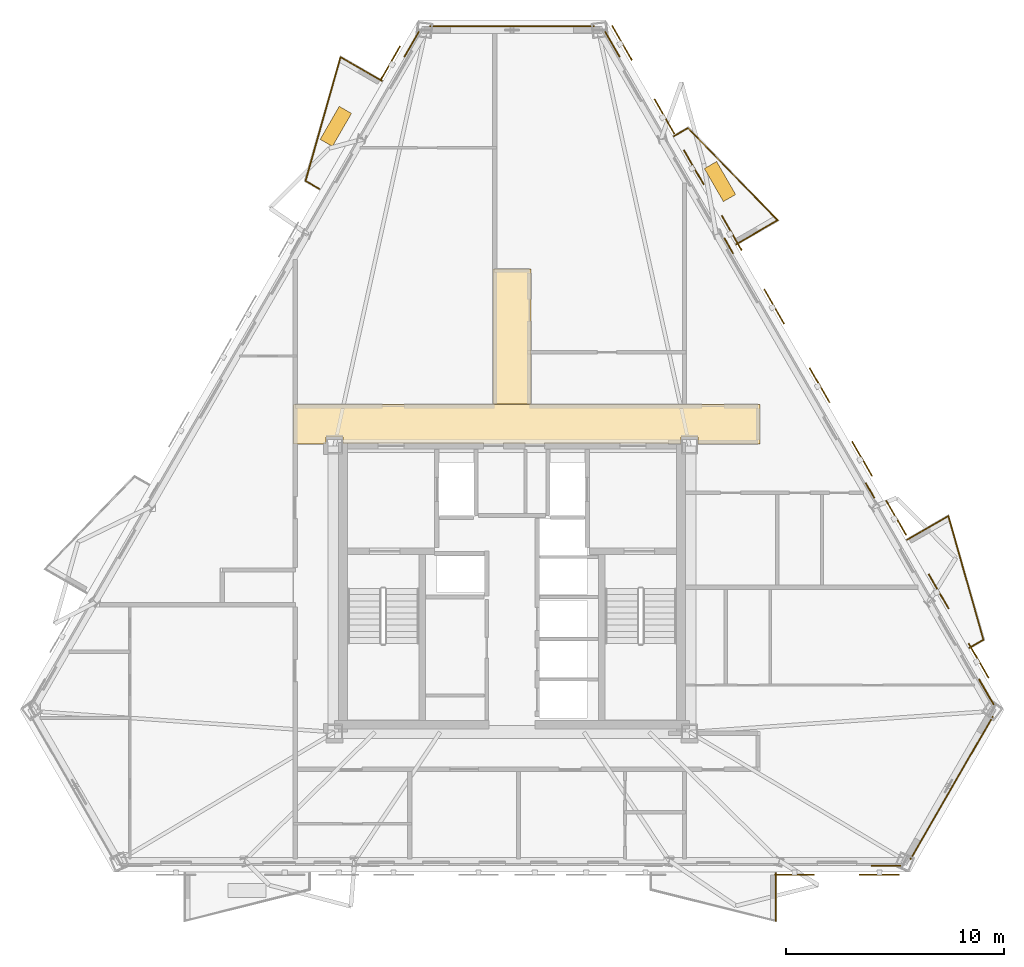
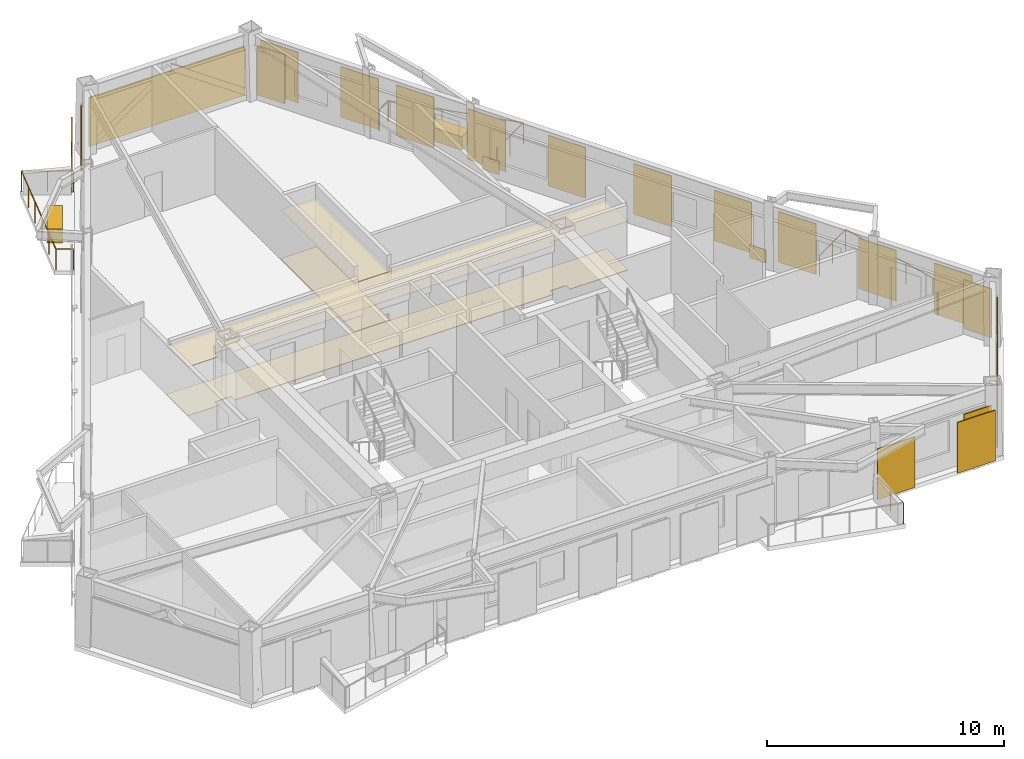
# One storey, part 10 of 10: 14 coverings, 13 shading devices, 10 railings.
"""IFC4 building model written with IfcOpenShell, lengths in metres."""

from ifc_helpers import new_model, si_unit, direction, frame, origin, origin_2d, place, context, subcontext, project, spatial, polyline, rectangle, circle, outline, extrude, material, layer, layer_set, type_object, element, save


model = new_model("IFC4")

# Units and contexts
model_context = context("Model", 3, precision=1e-05, world=origin(), true_north=direction((0.0, 1.0)))
body_context = subcontext(model_context, "Body", "Model", "MODEL_VIEW")
ifc_project = project(units=[si_unit("LENGTHUNIT", "METRE"), si_unit("AREAUNIT", "SQUARE_METRE"), si_unit("VOLUMEUNIT", "CUBIC_METRE"), si_unit("PLANEANGLEUNIT", "RADIAN"), si_unit("MASSUNIT", "GRAM", prefix="KILO")], contexts=[model_context])

# Site, building, storey
site_placement = place(None, origin())
site = spatial("IfcSite", under=ifc_project, at=site_placement, CompositionType="ELEMENT")
building_placement = place(site_placement, origin())
building = spatial("IfcBuilding", under=site, at=building_placement, Name="Oramaril Tower", CompositionType="ELEMENT")
storey_placement = place(building_placement, frame((0.0, 0.0, 181.800048828125)))
storey = spatial("IfcBuildingStorey", under=building, at=storey_placement, Name="L48", CompositionType="ELEMENT", Elevation=181.800048828125)

# Coverings
ifc_material_1 = material(Name="Mineral Fibre Acoustic Ceiling")
ifc_layer_1 = layer(ifc_material_1, 0.02001953125)
ifc_layer_set_1 = layer_set([ifc_layer_1], Name="CVT-CEIL")
covering_type_1 = type_object("IfcCoveringType", Name="CVT-CEIL", PredefinedType="CEILING", material=ifc_layer_set_1)
covering_1_placement = place(storey_placement, frame((0.0, 0.0, 2.511962890625)))
element("IfcCovering", 1, at=covering_1_placement, inside=storey, type_object=covering_type_1, Name="L48 Acoustic Suspended Ceiling 2", PredefinedType="CEILING", context=body_context, shape_type="SweptSolid", body=[
    extrude(outline(polyline([(48.8798828125, 24.239990234375), (46.044921875, 24.239990234375), (46.044921875, 24.544921875), (45.2548828125, 24.544921875), (45.2548828125, 24.25), (29.7451171875, 24.25), (29.7451171875, 24.544921875), (28.955078125, 24.544921875), (28.955078125, 24.239990234375), (27.469970703125, 24.239990234375), (27.469970703125, 26.050048828125), (48.8798828125, 26.050048828125), (48.8798828125, 24.239990234375)])), origin(), (0.0, 0.0, 1.0), 0.02001953125),
])
covering_2_placement = place(storey_placement, frame((0.0, 0.0, 2.511962890625)))
element("IfcCovering", 2, at=covering_2_placement, inside=storey, type_object=covering_type_1, Name="L48 Acoustic Suspended Ceiling 4", PredefinedType="CEILING", context=body_context, shape_type="SweptSolid", body=[
    extrude(outline(polyline([(38.3798828125, 26.070068359375), (36.6201171875, 26.070068359375), (36.6201171875, 32.280029296875), (38.3798828125, 32.280029296875), (38.3798828125, 26.070068359375)])), origin(), (0.0, 0.0, 1.0), 0.02001953125),
])
ifc_material_2 = material(Name="Warm Cream Limestone", Category="masonry")
ifc_layer_2 = layer(ifc_material_2, 0.050048828125)
ifc_layer_set_2 = layer_set([ifc_layer_2], Name="CVT-CLD")
covering_type_2 = type_object("IfcCoveringType", Name="CVT-CLD", PredefinedType="CLADDING", material=ifc_layer_set_2)
covering_3_placement = place(storey_placement, frame((54.6767578125, 4.86083984375, 0.0400390625), z_axis=(0.0, 0.0, 1.0), x_axis=(1.0, 0.0, 0.0)))
element("IfcCovering", 3, at=covering_3_placement, inside=storey, type_object=covering_type_2, Name="L48 Warm Cream Limestone Cladding", PredefinedType="CLADDING", context=body_context, shape_type="SweptSolid", body=[
    extrude(rectangle(XDim=1.35009765625, YDim=0.050048828125, at=origin_2d()), origin(), (0.0, 0.0, 1.0), 2.52001953125),
])
covering_4_placement = place(storey_placement, frame((57.691650390625, 8.4423828125, 0.0400390625), z_axis=(0.0, 0.0, 1.0), x_axis=(0.500009068969, 0.866020167749, 0.0)))
element("IfcCovering", 4, at=covering_4_placement, inside=storey, type_object=covering_type_2, Name="L48 Warm Cream Limestone Cladding", PredefinedType="CLADDING", context=body_context, shape_type="SweptSolid", body=[
    extrude(rectangle(XDim=7.5771484375, YDim=0.050048828125, at=origin_2d()), origin(), (0.0, 0.0, 1.0), 2.52001953125),
])
for number, where, z_axis, x_axis, name in (
    (5, (59.285888671875, 12.843994140625, 0.0400390625), (0.0, 0.0, 1.0), (-0.5, 0.866025403784, 0.0), "L48 Warm Cream Limestone Cladding"),
    (6, (42.10888671875, 42.59521484375, 0.0400390625), (0.0, 0.0, 1.0), (-0.5, 0.866025403784, 0.0), "L48 Warm Cream Limestone Cladding"),
):
    element("IfcCovering", number, at=place(storey_placement, frame(where, z_axis=z_axis, x_axis=x_axis)), inside=storey, type_object=covering_type_2, Name=name, PredefinedType="CLADDING", context=body_context, shape_type="SweptSolid", body=[
        extrude(rectangle(XDim=1.35009765625, YDim=0.050048828125, at=origin_2d()), origin(), (0.0, 0.0, 1.0), 2.52001953125),
    ])
for number, where, z_axis, x_axis, name in (
    (7, (53.9423828125, 22.099365234375, 0.0400390625), (0.0, 0.0, 1.0), (-0.5, 0.866025403784, 0.0), "L48 Warm Cream Limestone Spandrel Cladding"),
    (8, (47.45263671875, 33.33984375, 0.0400390625), (0.0, 0.0, 1.0), (-0.5, 0.866025403784, 0.0), "L48 Warm Cream Limestone Spandrel Cladding"),
):
    element("IfcCovering", number, at=place(storey_placement, frame(where, z_axis=z_axis, x_axis=x_axis)), inside=storey, type_object=covering_type_2, Name=name, PredefinedType="CLADDING", context=body_context, shape_type="SweptSolid", body=[
        extrude(rectangle(XDim=0.800048828125, YDim=0.050048828125, at=origin_2d()), origin(), (0.0, 0.0, 1.0), 0.679931640625),
    ])
covering_5_placement = place(storey_placement, frame((37.5, 43.415283203125, 0.0400390625), z_axis=(0.0, 0.0, 1.0), x_axis=(-1.0, 0.0, 0.0)))
element("IfcCovering", 9, at=covering_5_placement, inside=storey, type_object=covering_type_2, Name="L48 Warm Cream Limestone Cladding", PredefinedType="CLADDING", context=body_context, shape_type="SweptSolid", body=[
    extrude(rectangle(XDim=7.576904296875, YDim=0.050048828125, at=origin_2d()), origin(), (0.0, 0.0, 1.0), 2.52001953125),
])
covering_6_placement = place(storey_placement, frame((32.89111328125, 42.59521484375, 0.0400390625), z_axis=(0.0, 0.0, 1.0), x_axis=(-0.5, -0.866025403784, 0.0)))
element("IfcCovering", 10, at=covering_6_placement, inside=storey, type_object=covering_type_2, Name="L48 Warm Cream Limestone Cladding", PredefinedType="CLADDING", context=body_context, shape_type="SweptSolid", body=[
    extrude(rectangle(XDim=1.35009765625, YDim=0.050048828125, at=origin_2d()), origin(), (0.0, 0.0, 1.0), 2.52001953125),
])
for number, where, z_axis, x_axis, name in (
    (11, (47.0537109375, 36.2880859375, 0.0), (0.0, 0.0, 1.0), (-0.5, 0.866025403784, 0.0), "L48 Structural Tree Planter Box L48-BAL-NE2"),
    (12, (29.408935546875, 38.821044921875, 0.0), (0.0, 0.0, 1.0), (-0.5, -0.866025403784, 0.0), "L48 Structural Tree Planter Box L48-BAL-NW1"),
):
    element("IfcCovering", number, at=place(storey_placement, frame(where, z_axis=z_axis, x_axis=x_axis)), inside=storey, type_object=covering_type_2, Name=name, PredefinedType="CLADDING", context=body_context, shape_type="SweptSolid", body=[
        extrude(rectangle(XDim=1.75, YDim=0.64990234375, at=origin_2d()), origin(), (0.0, 0.0, 1.0), 0.699951171875),
    ])
ifc_material_3 = material(Name="Honed Quartzite Stone Flooring", Category="masonry")
ifc_layer_3 = layer(ifc_material_3, 0.02490234375)
ifc_layer_set_3 = layer_set([ifc_layer_3], Name="CVT-FLR")
covering_type_3 = type_object("IfcCoveringType", Name="CVT-FLR", PredefinedType="FLOORING", material=ifc_layer_set_3)
covering_7_placement = place(storey_placement, origin())
element("IfcCovering", 13, at=covering_7_placement, inside=storey, type_object=covering_type_3, Name="L48 Honed Stone Floor Finish 2", PredefinedType="FLOORING", context=body_context, shape_type="SweptSolid", body=[
    extrude(outline(polyline([(48.8798828125, 24.239990234375), (46.044921875, 24.239990234375), (46.044921875, 24.544921875), (45.2548828125, 24.544921875), (45.2548828125, 24.25), (29.7451171875, 24.25), (29.7451171875, 24.544921875), (28.955078125, 24.544921875), (28.955078125, 24.239990234375), (27.469970703125, 24.239990234375), (27.469970703125, 26.050048828125), (48.8798828125, 26.050048828125), (48.8798828125, 24.239990234375)])), origin(), (0.0, 0.0, 1.0), 0.02490234375),
])
covering_8_placement = place(storey_placement, origin())
element("IfcCovering", 14, at=covering_8_placement, inside=storey, type_object=covering_type_3, Name="L48 Honed Stone Floor Finish 4", PredefinedType="FLOORING", context=body_context, shape_type="SweptSolid", body=[
    extrude(outline(polyline([(38.3798828125, 26.070068359375), (36.6201171875, 26.070068359375), (36.6201171875, 32.280029296875), (38.3798828125, 32.280029296875), (38.3798828125, 26.070068359375)])), origin(), (0.0, 0.0, 1.0), 0.02490234375),
])

# Railings
ifc_material_4 = material(Name="Stainless Steel 316L", Category="steel")
railing_type = type_object("IfcRailingType", Name="RLT-GRD", PredefinedType="GUARDRAIL", material=ifc_material_4)
railing_1_placement = place(storey_placement, frame((49.607421875, 4.52099609375, 0.0)))
element("IfcRailing", 15, at=railing_1_placement, inside=storey, type_object=railing_type, Name="L48 Balcony Guardrail L48-BAL-S2.1", PredefinedType="GUARDRAIL", context=body_context, shape_type="SweptSolid", body=[
    extrude(circle(Radius=0.02392578125, at=origin_2d()), frame((0.0, 0.0, 1.076171875), z_axis=(0.0, -1.0, 0.0), x_axis=(1.0, 0.0, 0.0)), (0.0, 0.0, 1.0), 2.192138671875),
    extrude(circle(Radius=0.02099609375, at=origin_2d()), origin(), (0.0, 0.0, 1.0), 1.052001953125),
    extrude(circle(Radius=0.02099609375, at=origin_2d()), frame((0.0, -1.09619140625, 0.0)), (0.0, 0.0, 1.0), 1.052001953125),
    extrude(circle(Radius=0.02099609375, at=origin_2d()), frame((0.0, -2.192138671875, 0.0)), (0.0, 0.0, 1.0), 1.052001953125),
])
railing_2_placement = place(storey_placement, frame((55.643310546875, 19.833251953125, 0.0)))
element("IfcRailing", 16, at=railing_2_placement, inside=storey, type_object=railing_type, Name="L48 Balcony Guardrail L48-BAL-NE1.1", PredefinedType="GUARDRAIL", context=body_context, shape_type="SweptSolid", body=[
    extrude(circle(Radius=0.02392578125, at=origin_2d()), frame((0.0, 0.0, 1.076171875), z_axis=(0.866020500697, 0.5000084923, 0.0), x_axis=(-0.5000084923, 0.866020500697, 0.0)), (0.0, 0.0, 1.0), 2.19189453125),
    extrude(circle(Radius=0.02099609375, at=origin_2d()), origin(), (0.0, 0.0, 1.0), 1.052001953125),
    extrude(circle(Radius=0.02099609375, at=origin_2d()), frame((0.94921875, 0.5478515625, 0.0)), (0.0, 0.0, 1.0), 1.052001953125),
    extrude(circle(Radius=0.02099609375, at=origin_2d()), frame((1.898193359375, 1.095947265625, 0.0)), (0.0, 0.0, 1.0), 1.052001953125),
])
railing_3_placement = place(storey_placement, frame((57.54150390625, 20.92919921875, 0.0)))
element("IfcRailing", 17, at=railing_3_placement, inside=storey, type_object=railing_type, Name="L48 Balcony Guardrail L48-BAL-NE1.2", PredefinedType="GUARDRAIL", context=body_context, shape_type="SweptSolid", body=[
    extrude(circle(Radius=0.02392578125, at=origin_2d()), frame((0.0, 0.0, 1.076171875), z_axis=(0.272259686627, -0.962223811303, 0.0), x_axis=(0.962223811303, 0.272259686627, 0.0)), (0.0, 0.0, 1.0), 5.910400390625),
    extrude(circle(Radius=0.02099609375, at=origin_2d()), origin(), (0.0, 0.0, 1.0), 1.052001953125),
    extrude(circle(Radius=0.02099609375, at=origin_2d()), frame((0.32177734375, -1.137451171875, 0.0)), (0.0, 0.0, 1.0), 1.052001953125),
    extrude(circle(Radius=0.02099609375, at=origin_2d()), frame((0.6435546875, -2.27490234375, 0.0)), (0.0, 0.0, 1.0), 1.052001953125),
    extrude(circle(Radius=0.02099609375, at=origin_2d()), frame((0.965576171875, -3.412109375, 0.0)), (0.0, 0.0, 1.0), 1.052001953125),
    extrude(circle(Radius=0.02099609375, at=origin_2d()), frame((1.287353515625, -4.549560546875, 0.0)), (0.0, 0.0, 1.0), 1.052001953125),
    extrude(circle(Radius=0.02099609375, at=origin_2d()), frame((1.609130859375, -5.68701171875, 0.0)), (0.0, 0.0, 1.0), 1.052001953125),
])
railing_4_placement = place(storey_placement, frame((59.150634765625, 15.2421875, 0.0)))
element("IfcRailing", 18, at=railing_4_placement, inside=storey, type_object=railing_type, Name="L48 Balcony Guardrail L48-BAL-NE1.3", PredefinedType="GUARDRAIL", context=body_context, shape_type="SweptSolid", body=[
    extrude(circle(Radius=0.02392578125, at=origin_2d()), frame((0.0, 0.0, 1.076171875), z_axis=(-0.865884080729, -0.500244698863, 0.0), x_axis=(0.500244698863, -0.865884080729, 0.0)), (0.0, 0.0, 1.0), 0.741943359375),
    extrude(circle(Radius=0.02099609375, at=origin_2d()), origin(), (0.0, 0.0, 1.0), 1.052001953125),
    extrude(circle(Radius=0.02099609375, at=origin_2d()), frame((-0.642333984375, -0.37109375, 0.0)), (0.0, 0.0, 1.0), 1.052001953125),
])
railing_5_placement = place(storey_placement, frame((44.938232421875, 38.375, 0.0)))
element("IfcRailing", 19, at=railing_5_placement, inside=storey, type_object=railing_type, Name="L48 Balcony Guardrail L48-BAL-NE2.1", PredefinedType="GUARDRAIL", context=body_context, shape_type="SweptSolid", body=[
    extrude(circle(Radius=0.02392578125, at=origin_2d()), frame((0.0, 0.0, 1.076171875), z_axis=(0.866108878364, 0.499855389907, 0.0), x_axis=(-0.499855389907, 0.866108878364, 0.0)), (0.0, 0.0, 1.0), 0.741943359375),
    extrude(circle(Radius=0.02099609375, at=origin_2d()), origin(), (0.0, 0.0, 1.0), 1.052001953125),
    extrude(circle(Radius=0.02099609375, at=origin_2d()), frame((0.642578125, 0.370849609375, 0.0)), (0.0, 0.0, 1.0), 1.052001953125),
])
railing_6_placement = place(storey_placement, frame((45.580810546875, 38.745849609375, 0.0)))
element("IfcRailing", 20, at=railing_6_placement, inside=storey, type_object=railing_type, Name="L48 Balcony Guardrail L48-BAL-NE2.2", PredefinedType="GUARDRAIL", context=body_context, shape_type="SweptSolid", body=[
    extrude(circle(Radius=0.02392578125, at=origin_2d()), frame((0.0, 0.0, 1.076171875), z_axis=(0.697165686546, -0.716910040034, 0.0), x_axis=(0.716910040034, 0.697165686546, 0.0)), (0.0, 0.0, 1.0), 5.910400390625),
    extrude(circle(Radius=0.02099609375, at=origin_2d()), origin(), (0.0, 0.0, 1.0), 1.052001953125),
    extrude(circle(Radius=0.02099609375, at=origin_2d()), frame((0.82421875, -0.847412109375, 0.0)), (0.0, 0.0, 1.0), 1.052001953125),
    extrude(circle(Radius=0.02099609375, at=origin_2d()), frame((1.648193359375, -1.69482421875, 0.0)), (0.0, 0.0, 1.0), 1.052001953125),
    extrude(circle(Radius=0.02099609375, at=origin_2d()), frame((2.472412109375, -2.54248046875, 0.0)), (0.0, 0.0, 1.0), 1.052001953125),
    extrude(circle(Radius=0.02099609375, at=origin_2d()), frame((3.29638671875, -3.389892578125, 0.0)), (0.0, 0.0, 1.0), 1.052001953125),
    extrude(circle(Radius=0.02099609375, at=origin_2d()), frame((4.12060546875, -4.2373046875, 0.0)), (0.0, 0.0, 1.0), 1.052001953125),
])
railing_7_placement = place(storey_placement, frame((49.701416015625, 34.508544921875, 0.0)))
element("IfcRailing", 21, at=railing_7_placement, inside=storey, type_object=railing_type, Name="L48 Balcony Guardrail L48-BAL-NE2.3", PredefinedType="GUARDRAIL", context=body_context, shape_type="SweptSolid", body=[
    extrude(circle(Radius=0.02392578125, at=origin_2d()), frame((0.0, 0.0, 1.076171875), z_axis=(-0.866020500697, -0.5000084923, 0.0), x_axis=(0.5000084923, -0.866020500697, 0.0)), (0.0, 0.0, 1.0), 2.19189453125),
    extrude(circle(Radius=0.02099609375, at=origin_2d()), origin(), (0.0, 0.0, 1.0), 1.052001953125),
    extrude(circle(Radius=0.02099609375, at=origin_2d()), frame((-0.94921875, -0.5478515625, 0.0)), (0.0, 0.0, 1.0), 1.052001953125),
    extrude(circle(Radius=0.02099609375, at=origin_2d()), frame((-1.898193359375, -1.095947265625, 0.0)), (0.0, 0.0, 1.0), 1.052001953125),
])
railing_8_placement = place(storey_placement, frame((28.6591796875, 35.94580078125, 0.0)))
element("IfcRailing", 22, at=railing_8_placement, inside=storey, type_object=railing_type, Name="L48 Balcony Guardrail L48-BAL-NW1.1", PredefinedType="GUARDRAIL", context=body_context, shape_type="SweptSolid", body=[
    extrude(circle(Radius=0.02392578125, at=origin_2d()), frame((0.0, 0.0, 1.076171875), z_axis=(-0.865884080729, 0.500244698863, 0.0), x_axis=(-0.500244698863, -0.865884080729, 0.0)), (0.0, 0.0, 1.0), 0.741943359375),
    extrude(circle(Radius=0.02099609375, at=origin_2d()), origin(), (0.0, 0.0, 1.0), 1.052001953125),
    extrude(circle(Radius=0.02099609375, at=origin_2d()), frame((-0.642333984375, 0.37109375, 0.0)), (0.0, 0.0, 1.0), 1.052001953125),
])
railing_9_placement = place(storey_placement, frame((28.016845703125, 36.31689453125, 0.0)))
element("IfcRailing", 23, at=railing_9_placement, inside=storey, type_object=railing_type, Name="L48 Balcony Guardrail L48-BAL-NW1.2", PredefinedType="GUARDRAIL", context=body_context, shape_type="SweptSolid", body=[
    extrude(circle(Radius=0.02392578125, at=origin_2d()), frame((0.0, 0.0, 1.076171875), z_axis=(0.272259686627, 0.962223811303, 0.0), x_axis=(-0.962223811303, 0.272259686627, 0.0)), (0.0, 0.0, 1.0), 5.910400390625),
    extrude(circle(Radius=0.02099609375, at=origin_2d()), origin(), (0.0, 0.0, 1.0), 1.052001953125),
    extrude(circle(Radius=0.02099609375, at=origin_2d()), frame((0.32177734375, 1.137451171875, 0.0)), (0.0, 0.0, 1.0), 1.052001953125),
    extrude(circle(Radius=0.02099609375, at=origin_2d()), frame((0.6435546875, 2.27490234375, 0.0)), (0.0, 0.0, 1.0), 1.052001953125),
    extrude(circle(Radius=0.02099609375, at=origin_2d()), frame((0.965576171875, 3.412109375, 0.0)), (0.0, 0.0, 1.0), 1.052001953125),
    extrude(circle(Radius=0.02099609375, at=origin_2d()), frame((1.287353515625, 4.549560546875, 0.0)), (0.0, 0.0, 1.0), 1.052001953125),
    extrude(circle(Radius=0.02099609375, at=origin_2d()), frame((1.609130859375, 5.68701171875, 0.0)), (0.0, 0.0, 1.0), 1.052001953125),
])
railing_10_placement = place(storey_placement, frame((29.6259765625, 42.00390625, 0.0)))
element("IfcRailing", 24, at=railing_10_placement, inside=storey, type_object=railing_type, Name="L48 Balcony Guardrail L48-BAL-NW1.3", PredefinedType="GUARDRAIL", context=body_context, shape_type="SweptSolid", body=[
    extrude(circle(Radius=0.02392578125, at=origin_2d()), frame((0.0, 0.0, 1.076171875), z_axis=(0.866048343933, -0.499960264392, 0.0), x_axis=(0.499960264392, 0.866048343933, 0.0)), (0.0, 0.0, 1.0), 2.192138671875),
    extrude(circle(Radius=0.02099609375, at=origin_2d()), origin(), (0.0, 0.0, 1.0), 1.052001953125),
    extrude(circle(Radius=0.02099609375, at=origin_2d()), frame((0.94921875, -0.5478515625, 0.0)), (0.0, 0.0, 1.0), 1.052001953125),
    extrude(circle(Radius=0.02099609375, at=origin_2d()), frame((1.8984375, -1.095947265625, 0.0)), (0.0, 0.0, 1.0), 1.052001953125),
])

# Shading devices
for number, where, z_axis, x_axis, name in (
    (25, (50.474609375, 4.448974609375, -0.02001953125), (0.0, 0.0, 1.0), (1.0, 0.0, 0.0), "L48 Perforated Ceramic Solar Screen"),
    (26, (54.37451171875, 4.448974609375, -0.02001953125), (0.0, 0.0, 1.0), (1.0, 0.0, 0.0), "L48 Perforated Ceramic Solar Screen"),
    (27, (58.931640625, 14.281494140625, -0.02001953125), (0.0, 0.0, 1.0), (-0.5, 0.866025403784, 0.0), "L48 Perforated Ceramic Solar Screen"),
    (28, (53.57666015625, 23.556640625, -0.02001953125), (0.0, 0.0, 1.0), (-0.5, 0.866025403784, 0.0), "L48 Perforated Ceramic Solar Screen"),
    (29, (51.626708984375, 26.93408203125, -0.02001953125), (0.0, 0.0, 1.0), (-0.5, 0.866025403784, 0.0), "L48 Perforated Ceramic Solar Screen"),
    (30, (49.5400390625, 30.548095703125, -0.02001953125), (0.0, 0.0, 1.0), (-0.5, 0.866025403784, 0.0), "L48 Perforated Ceramic Solar Screen"),
    (31, (47.590087890625, 33.92578125, -0.02001953125), (0.0, 0.0, 1.0), (-0.5, 0.866025403784, 0.0), "L48 Perforated Ceramic Solar Screen"),
    (32, (57.09228515625, 17.467529296875, -0.02001953125), (0.0, 0.0, 1.0), (-0.5, 0.866025403784, 0.0), "L48 Perforated Ceramic Solar Screen"),
    (33, (55.14208984375, 20.844970703125, -0.02001953125), (0.0, 0.0, 1.0), (-0.5, 0.866025403784, 0.0), "L48 Perforated Ceramic Solar Screen"),
    (34, (45.849853515625, 36.939697265625, -0.02001953125), (0.0, 0.0, 1.0), (-0.5, 0.866025403784, 0.0), "L48 Perforated Ceramic Solar Screen"),
    (35, (44.501708984375, 39.27490234375, -0.02001953125), (0.0, 0.0, 1.0), (-0.5, 0.866025403784, 0.0), "L48 Perforated Ceramic Solar Screen"),
    (36, (42.5517578125, 42.65234375, -0.02001953125), (0.0, 0.0, 1.0), (-0.5, 0.866025403784, 0.0), "L48 Perforated Ceramic Solar Screen"),
    (37, (31.905517578125, 41.712158203125, -0.02001953125), (0.0, 0.0, 1.0), (-0.5, -0.866025403784, 0.0), "L48 Perforated Ceramic Solar Screen"),
):
    element("IfcShadingDevice", number, at=place(storey_placement, frame(where, z_axis=z_axis, x_axis=x_axis)), inside=storey, Name=name, ObjectType="SCREEN", PredefinedType="USERDEFINED", context=body_context, shape_type="SweptSolid", body=[
        extrude(rectangle(XDim=1.8330078125, YDim=0.050048828125, at=origin_2d()), origin(), (0.0, 0.0, 1.0), 2.60009765625),
    ])

save(model, "model.ifc")
